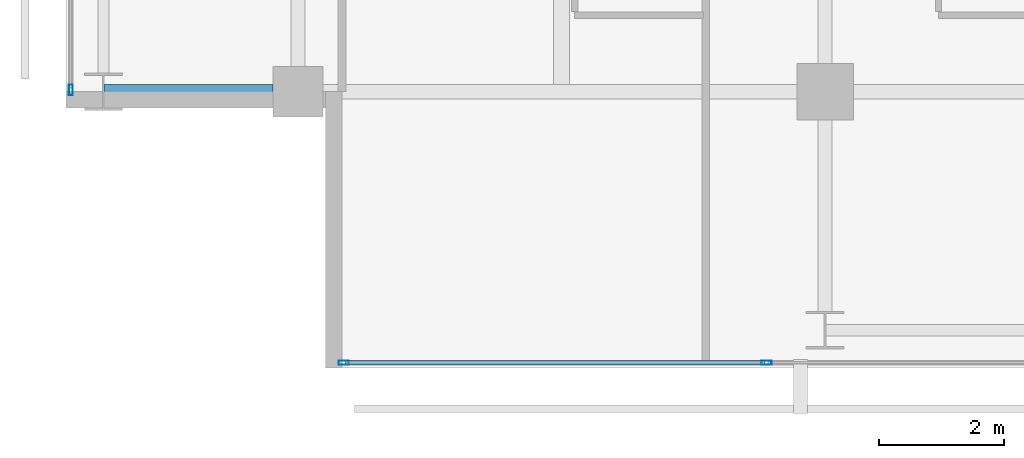
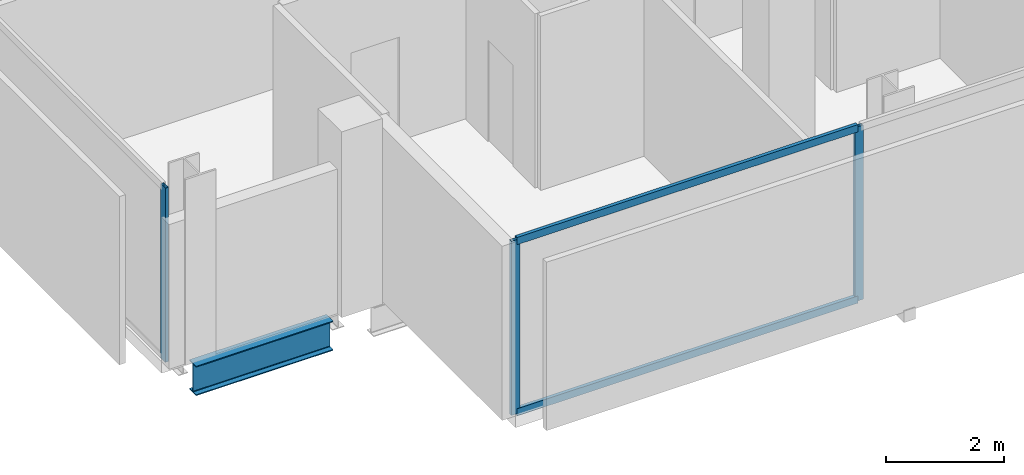
# One storey, part 2 of 34: 5 members, 1 beam, 2 elements without a shape of their own.
"""IFC4 building model written with IfcOpenShell, lengths in metres."""

from ifc_helpers import new_model, si_unit, direction, frame, origin, origin_2d, place, context, subcontext, project, spatial, hollow_rectangle, i_section, extrude, material, layer, layer_set, material_profile, profile_set, type_object, element, aggregate, save


model = new_model("IFC4")

# Units and contexts
model_context = context("Model", 3, precision=1e-05, world=origin(), true_north=direction((0.0, 1.0)))
body_context = subcontext(model_context, "Body", "Model", "MODEL_VIEW")
ifc_project = project(units=[si_unit("LENGTHUNIT", "METRE"), si_unit("AREAUNIT", "SQUARE_METRE"), si_unit("VOLUMEUNIT", "CUBIC_METRE"), si_unit("PLANEANGLEUNIT", "RADIAN"), si_unit("MASSUNIT", "GRAM", prefix="KILO")], contexts=[model_context])

# Site, building, storey
site_placement = place(None, origin())
site = spatial("IfcSite", under=ifc_project, at=site_placement, CompositionType="ELEMENT")
building_placement = place(site_placement, origin())
building = spatial("IfcBuilding", under=site, at=building_placement, Name="Maruvema Waterfront Hotel and Observation Tower", CompositionType="ELEMENT")
storey_placement = place(building_placement, frame((0.0, 0.0, 135.10009765625)))
storey = spatial("IfcBuildingStorey", under=building, at=storey_placement, Name="L32", CompositionType="ELEMENT", Elevation=135.10009765625)

# Curtain wall, members
ifc_material_1 = material(Name="Anodised bronze aluminium and solar-control low-E IGU", Category="aluminium")
ifc_layer = layer(ifc_material_1, 0.159912109375, Name="Zone 2 Amber Inner Thermal Curtain Wall System CW-03")
ifc_layer_set = layer_set([ifc_layer], Name="Anodised bronze aluminium and solar-control low-E IGU")
curtain_wall_type = type_object("IfcCurtainWallType", Name="Zone 2 Amber Inner Thermal Curtain Wall System CW-03", PredefinedType="USERDEFINED", material=ifc_layer_set)
curtain_wall_1_placement = place(storey_placement, origin())
curtain_wall_1 = element("IfcCurtainWall", 1, at=curtain_wall_1_placement, inside=storey, type_object=curtain_wall_type, Name="L32 Curtain Wall CW-L32-S", ObjectType="UNITISED CURTAIN WALL", PredefinedType="USERDEFINED")
ifc_material_2 = material(Name="Anodised architectural bronze aluminium", Category="aluminium")
ifc_material_profile_1 = material_profile(ifc_material_2, hollow_rectangle(XDim=0.070068359375, YDim=0.14990234375, WallThickness=0.00390625, at=origin_2d()), Name="ALU-T70x150")
ifc_profile_set_1 = profile_set([ifc_material_profile_1], Name="Anodised architectural bronze aluminium")
member_type_1 = type_object("IfcMemberType", Name="Curtain Wall Horizontal Transom ALU-T70x150", PredefinedType="USERDEFINED", material=ifc_profile_set_1)
member_1_placement = place(storey_placement, frame((17.56005859375, 4.679931640625, 0.02978515625), z_axis=(1.0, 0.0, 0.0), x_axis=(0.0, 1.0, 0.0)))
member_1 = element("IfcMember", 2, at=member_1_placement, type_object=member_type_1, Name="CW-03 transom 1.1", ObjectType="TRANSOM", PredefinedType="USERDEFINED", context=body_context, shape_type="SweptSolid", body=[
    extrude(hollow_rectangle(XDim=0.070068359375, YDim=0.14990234375, WallThickness=0.00390625, at=origin_2d()), origin(), (0.0, 0.0, 1.0), 6.676513671875),
])
member_2_placement = place(storey_placement, frame((17.56005859375, 4.679931640625, 3.579833984375), z_axis=(1.0, 0.0, 0.0), x_axis=(0.0, 1.0, 0.0)))
member_2 = element("IfcMember", 3, at=member_2_placement, type_object=member_type_1, Name="CW-03 transom 1.2", ObjectType="TRANSOM", PredefinedType="USERDEFINED", context=body_context, shape_type="SweptSolid", body=[
    extrude(hollow_rectangle(XDim=0.070068359375, YDim=0.14990234375, WallThickness=0.00390625, at=origin_2d()), origin(), (0.0, 0.0, 1.0), 6.676513671875),
])
ifc_material_3 = material(Name="Anodised architectural bronze aluminium", Category="aluminium")
ifc_material_profile_2 = material_profile(ifc_material_3, hollow_rectangle(XDim=0.06494140625, YDim=0.1650390625, WallThickness=0.00390625, at=origin_2d()), Name="ALU-M65x165")
ifc_profile_set_2 = profile_set([ifc_material_profile_2], Name="Anodised architectural bronze aluminium")
member_type_2 = type_object("IfcMemberType", Name="Curtain Wall Primary Mullion ALU-M65x165", PredefinedType="MULLION", material=ifc_profile_set_2)
member_3_placement = place(storey_placement, frame((17.530029296875, 4.679931640625, 0.0), z_axis=(0.0, 0.0, 1.0), x_axis=(0.0, 1.0, 0.0)))
member_3 = element("IfcMember", 4, at=member_3_placement, type_object=member_type_2, Name="CW-03 mullion 1", PredefinedType="MULLION", context=body_context, shape_type="SweptSolid", body=[
    extrude(hollow_rectangle(XDim=0.06494140625, YDim=0.1650390625, WallThickness=0.00390625, at=origin_2d()), origin(), (0.0, 0.0, 1.0), 3.60986328125),
])
member_4_placement = place(storey_placement, frame((24.2666015625, 4.679931640625, 0.0), z_axis=(0.0, 0.0, 1.0), x_axis=(0.0, 1.0, 0.0)))
member_4 = element("IfcMember", 5, at=member_4_placement, type_object=member_type_2, Name="CW-03 mullion 2", PredefinedType="MULLION", context=body_context, shape_type="SweptSolid", body=[
    extrude(hollow_rectangle(XDim=0.06494140625, YDim=0.1650390625, WallThickness=0.00390625, at=origin_2d()), origin(), (0.0, 0.0, 1.0), 3.60986328125),
])
aggregate(curtain_wall_1, [member_3, member_4, member_1, member_2])

# Curtain wall, member
curtain_wall_2_placement = place(storey_placement, origin())
curtain_wall_2 = element("IfcCurtainWall", 6, at=curtain_wall_2_placement, inside=storey, type_object=curtain_wall_type, Name="L32 Curtain Wall CW-L32-W", ObjectType="UNITISED CURTAIN WALL", PredefinedType="USERDEFINED")
member_5_placement = place(storey_placement, frame((13.179931640625, 9.030029296875, 0.0), z_axis=(0.0, 0.0, 1.0), x_axis=(1.0, 0.0, 0.0)))
member_5 = element("IfcMember", 7, at=member_5_placement, type_object=member_type_2, Name="CW-03 mullion 7", PredefinedType="MULLION", context=body_context, shape_type="SweptSolid", body=[
    extrude(hollow_rectangle(XDim=0.06494140625, YDim=0.1650390625, WallThickness=0.00390625, at=origin_2d()), origin(), (0.0, 0.0, 1.0), 3.60986328125),
])
aggregate(curtain_wall_2, [member_5])

# Beam
ifc_material_4 = material(Name="Steel ASTM A572 Grade 50", Category="steel")
ifc_material_profile_3 = material_profile(ifc_material_4, i_section(OverallWidth=0.22900390625, OverallDepth=0.612060546875, WebThickness=0.011962890625, FlangeThickness=0.01953125, FilletRadius=0.01806640625, at=origin_2d()), Name="W610x125.0")
ifc_profile_set_3 = profile_set([ifc_material_profile_3], Name="Steel ASTM A572 Grade 50")
beam_type = type_object("IfcBeamType", Name="Primary Floor Girder W610x125.0", PredefinedType="BEAM", material=ifc_profile_set_3)
beam_placement = place(storey_placement, frame((13.71240234375, 9.0, -0.546142578125), z_axis=(1.0, 0.0, 0.0), x_axis=(0.0, 1.0, 0.0)))
element("IfcBeam", 8, at=beam_placement, inside=storey, type_object=beam_type, Name="L32 Floor Girder EW-04", PredefinedType="BEAM", context=body_context, shape_type="SweptSolid", body=[
    extrude(i_section(OverallWidth=0.22900390625, OverallDepth=0.612060546875, WebThickness=0.011962890625, FlangeThickness=0.01953125, FilletRadius=0.01806640625, at=origin_2d()), origin(), (0.0, 0.0, 1.0), 2.6875),
])

save(model, "model.ifc")
